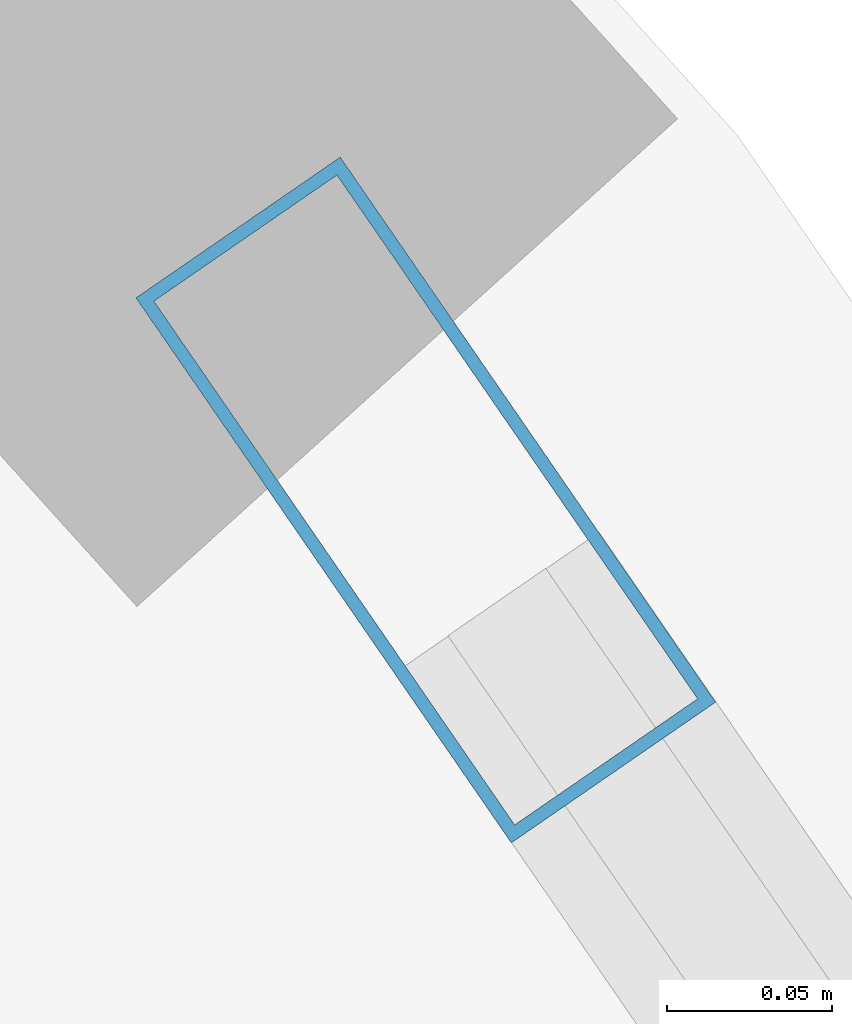
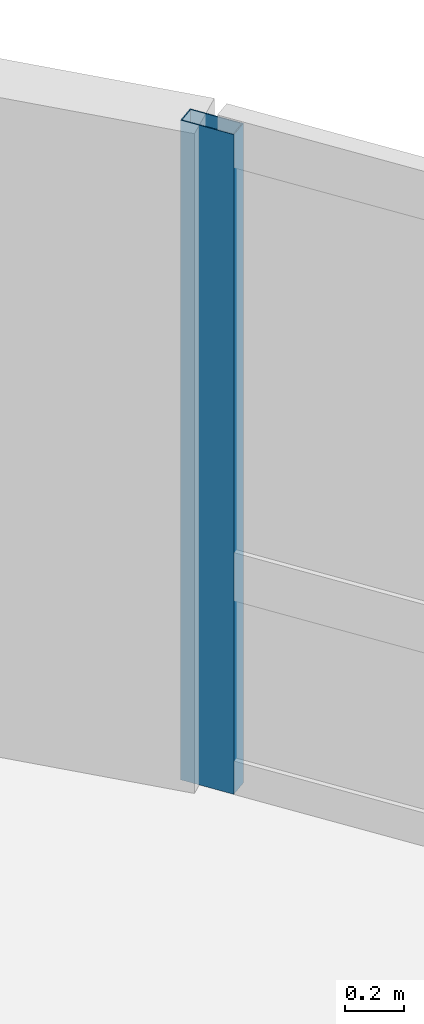
# One storey, part 14 of 23: 1 member, 1 element without a shape of its own.
"""IFC4 building model written with IfcOpenShell, lengths in metres."""

from ifc_helpers import new_model, si_unit, direction, frame, origin, origin_2d, place, context, subcontext, project, spatial, hollow_rectangle, extrude, material, layer, layer_set, material_profile, profile_set, type_object, element, aggregate, save


model = new_model("IFC4")

# Units and contexts
model_context = context("Model", 3, precision=1e-05, world=origin(), true_north=direction((0.0, 1.0)))
body_context = subcontext(model_context, "Body", "Model", "MODEL_VIEW")
ifc_project = project(units=[si_unit("LENGTHUNIT", "METRE"), si_unit("AREAUNIT", "SQUARE_METRE"), si_unit("VOLUMEUNIT", "CUBIC_METRE"), si_unit("PLANEANGLEUNIT", "RADIAN"), si_unit("MASSUNIT", "GRAM", prefix="KILO")], contexts=[model_context])

# Site, building, storey
site_placement = place(None, origin())
site = spatial("IfcSite", under=ifc_project, at=site_placement, CompositionType="ELEMENT")
building_placement = place(site_placement, origin())
building = spatial("IfcBuilding", under=site, at=building_placement, Name="Varnelok Gate Tower", CompositionType="ELEMENT")
storey_placement = place(building_placement, frame((0.0, 0.0, 258.199951171875)))
storey = spatial("IfcBuildingStorey", under=building, at=storey_placement, Name="L66", CompositionType="ELEMENT", Elevation=258.199951171875)

# Curtain wall, member
ifc_material = material(Name="Anodized Aluminum Alloy 6063-T6", Category="aluminium")
ifc_layer = layer(ifc_material, 0.179931640625)
ifc_layer_set = layer_set([ifc_layer], Name="Anodized Aluminum Alloy 6063-T6")
curtain_wall_type = type_object("IfcCurtainWallType", Name="CW4-RESIDENCE-VISION", PredefinedType="USERDEFINED", material=ifc_layer_set)
curtain_wall_placement = place(storey_placement, origin())
curtain_wall = element("IfcCurtainWall", 1, at=curtain_wall_placement, inside=storey, type_object=curtain_wall_type, Name="L66 East End Vision Curtain Wall", ObjectType="UNITISED CURTAIN WALL", PredefinedType="USERDEFINED")
ifc_material_profile = material_profile(ifc_material, hollow_rectangle(XDim=0.074951171875, YDim=0.199951171875, WallThickness=0.00390625, at=origin_2d()), Name="ALU200X75X4")
ifc_profile_set = profile_set([ifc_material_profile], Name="Anodized Aluminum Alloy 6063-T6")
member_type = type_object("IfcMemberType", Name="CW-MULL-200", PredefinedType="MULLION", material=ifc_profile_set)
member_placement = place(storey_placement, frame((57.515380859375, 56.8134765625, 0.0), z_axis=(0.0, 0.0, 1.0), x_axis=(0.823532290241, 0.567269395376, 0.0)))
member = element("IfcMember", 2, at=member_placement, type_object=member_type, Name="CW4 mullion 1", PredefinedType="MULLION", context=body_context, shape_type="SweptSolid", body=[
    extrude(hollow_rectangle(XDim=0.074951171875, YDim=0.199951171875, WallThickness=0.00390625, at=origin_2d()), origin(), (0.0, 0.0, 1.0), 2.72998046875),
])
aggregate(curtain_wall, [member])

save(model, "model.ifc")
